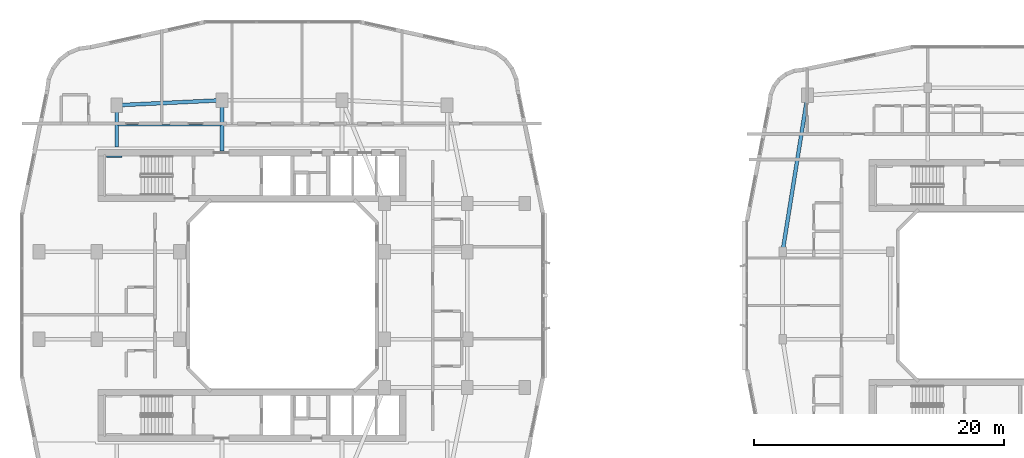
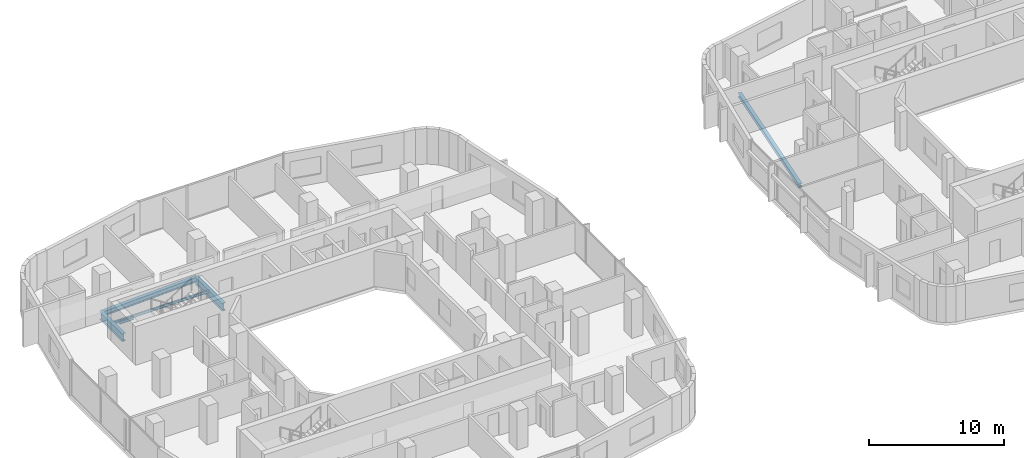
# One storey, part 6 of 27: 6 beams.
"""IFC4 building model written with IfcOpenShell, lengths in metres."""

import ifcopenshell
import ifcopenshell.guid

model = None  # the IFC model being written
_history = None  # IfcOwnerHistory: only IFC2X3 demands one
_inside = {}  # id of a spatial element -> (the spatial element, [elements in it])
_under = {}  # id of a project, library or spatial element -> (it, [spatial elements below it])
_declared = {}  # id of a project -> (the project, [libraries it declares])
_typed = {}  # id of a type object -> (the type object, [elements of that type])
_made_of = {}  # id of a material, layer set ... -> (it, [elements and type objects made of it])


def new_model(schema):
    """Start an empty IFC model of exactly this schema.

    Asked for "IFC4X3", IfcOpenShell would pick the latest addendum, in which some entities
    have other attributes; the version numbers below select the first issue.
    IFC2X3 requires an IfcOwnerHistory on every rooted entity: one is made here for all.
    """
    global model, _history
    if schema == "IFC4X3":
        model = ifcopenshell.file(schema_version=(4, 3, 0, 0))
    else:
        model = ifcopenshell.file(schema=schema)
    _inside.clear()
    _under.clear()
    _declared.clear()
    _typed.clear()
    _made_of.clear()
    _history = None
    if model.schema == "IFC2X3":
        org = make("IfcOrganization", Name="unknown")
        user = make(
            "IfcPersonAndOrganization",
            ThePerson=make("IfcPerson", FamilyName="unknown"),
            TheOrganization=org,
        )
        app = make(
            "IfcApplication",
            ApplicationDeveloper=org,
            Version="unknown",
            ApplicationFullName="unknown",
            ApplicationIdentifier="unknown",
        )
        _history = make(
            "IfcOwnerHistory",
            OwningUser=user,
            OwningApplication=app,
            ChangeAction="ADDED",
            CreationDate=0,
        )
    return model


def make(cls, **values):
    """One entity of the class cls with the attributes given. An attribute that is None is left unset."""
    return model.create_entity(
        cls, **{name: value for name, value in values.items() if value is not None}
    )


def rooted(cls, **values):
    """An entity with a GlobalId (a new one), such as an element, a storey or a relation."""
    return make(cls, GlobalId=ifcopenshell.guid.new(), OwnerHistory=_history, **values)


def si_unit(unit_type, name, prefix=None):
    """IfcSIUnit, for example si_unit("LENGTHUNIT", "METRE", prefix="MILLI")."""
    return make("IfcSIUnit", UnitType=unit_type, Prefix=prefix, Name=name)


def derived_unit(unit_type, elements):
    """IfcDerivedUnit: a product of units, each with its exponent."""
    return make(
        "IfcDerivedUnit",
        Elements=[
            make("IfcDerivedUnitElement", Unit=unit, Exponent=power)
            for unit, power in elements
        ],
        UnitType=unit_type,
    )


def assignment(units):
    """IfcUnitAssignment: the units of a project."""
    return None if units is None else make("IfcUnitAssignment", Units=units)


def point(xyz):
    """IfcCartesianPoint."""
    return None if xyz is None else make("IfcCartesianPoint", Coordinates=xyz)


def direction(xyz):
    """IfcDirection."""
    return None if xyz is None else make("IfcDirection", DirectionRatios=xyz)


def frame(location, z_axis=None, x_axis=None):
    """IfcAxis2Placement3D, a coordinate frame: its origin and axes. An axis left out is left unset."""
    return make(
        "IfcAxis2Placement3D",
        Location=point(location),
        Axis=direction(z_axis),
        RefDirection=direction(x_axis),
    )


def frame_2d(location, x_axis=None):
    """IfcAxis2Placement2D, a coordinate frame in the plane: its origin and x axis."""
    return make(
        "IfcAxis2Placement2D", Location=point(location), RefDirection=direction(x_axis)
    )


def origin():
    """The frame at (0, 0, 0) with its axes left unset."""
    return frame((0.0, 0.0, 0.0))


def origin_2d():
    """The frame at (0, 0) in the plane with its x axis left unset."""
    return frame_2d((0.0, 0.0))


def place(relative_to, where):
    """IfcLocalPlacement: puts the frame where relative to a parent placement (None: the world)."""
    return make(
        "IfcLocalPlacement", PlacementRelTo=relative_to, RelativePlacement=where
    )


def context(
    kind, dimensions, precision=None, world=None, true_north=None, identifier=None
):
    """IfcGeometricRepresentationContext, for example the 3D "Model" context."""
    return make(
        "IfcGeometricRepresentationContext",
        ContextIdentifier=identifier,
        ContextType=kind,
        CoordinateSpaceDimension=dimensions,
        Precision=precision,
        WorldCoordinateSystem=world,
        TrueNorth=true_north,
    )


def subcontext(parent, identifier, kind, view, scale=None):
    """IfcGeometricRepresentationSubContext, for example "Body" below "Model"."""
    return make(
        "IfcGeometricRepresentationSubContext",
        ContextIdentifier=identifier,
        ContextType=kind,
        ParentContext=parent,
        TargetScale=scale,
        TargetView=view,
    )


def project(units=None, contexts=None):
    """IfcProject with its units and contexts."""
    return rooted(
        "IfcProject",
        Name="project",
        RepresentationContexts=contexts,
        UnitsInContext=assignment(units),
    )


def spatial(cls, under=None, at=None, **own):
    """A site, building, storey or space (cls), placed at a placement, below another one or the project."""
    s = rooted(cls, ObjectPlacement=at, **own)
    if under is not None:
        _under.setdefault(under.id(), (under, []))[1].append(s)
    return s


def profile(cls, at=None, kind="AREA", **sizes):
    """A parametric profile (cls). Its sizes go by their IFC names, for example OverallWidth=200.0."""
    return make(cls, ProfileType=kind, Position=at, **sizes)


def i_section(**sizes):
    """IfcIShapeProfileDef."""
    return profile("IfcIShapeProfileDef", **sizes)


def extrude(swept, where, along, depth):
    """IfcExtrudedAreaSolid: the profile swept, set in the frame where, extruded along a direction by depth."""
    return make(
        "IfcExtrudedAreaSolid",
        SweptArea=swept,
        Position=where,
        ExtrudedDirection=direction(along),
        Depth=depth,
    )


def shape(context_of_items, identifier, shape_type, items):
    """IfcShapeRepresentation: the items that make up one representation, for example the "Body"."""
    return make(
        "IfcShapeRepresentation",
        ContextOfItems=context_of_items,
        RepresentationIdentifier=identifier,
        RepresentationType=shape_type,
        Items=items,
    )


def material(Name=None, Category=None):
    """IfcMaterial."""
    return make("IfcMaterial", Name=Name, Category=Category)


def material_profile(
    of_material, cross_section, Name=None, Category=None, Priority=None
):
    """IfcMaterialProfile: a cross section and its material."""
    return make(
        "IfcMaterialProfile",
        Name=Name,
        Material=of_material,
        Profile=cross_section,
        Priority=Priority,
        Category=Category,
    )


def profile_set(profiles, Name=None, composite=None):
    """IfcMaterialProfileSet."""
    return make(
        "IfcMaterialProfileSet",
        Name=Name,
        MaterialProfiles=profiles,
        CompositeProfile=composite,
    )


def made_of(thing, what):
    """Note that an element or type object is made of a material, layer set ...; save() writes the relation."""
    if what is not None:
        _made_of.setdefault(what.id(), (what, []))[1].append(thing)
    return thing


def type_object(cls, material=None, **own):
    """A type object (cls), such as IfcWallType, which elements share."""
    return made_of(rooted(cls, **own), material)


def element(
    cls,
    number,
    at=None,
    inside=None,
    cuts=None,
    type_object=None,
    material=None,
    context=None,
    identifier="Body",
    shape_type=None,
    held_by="IfcProductDefinitionShape",
    body=None,
    shapes=None,
    **own,
):
    """One element of the class cls, such as IfcWall. Its Tag is "e" and its number.

    at: its placement. inside: the storey or other place that contains it. cuts: it is an
    opening in that element (IfcRelVoidsElement). A single representation is given by context,
    identifier, shape_type and body (its items); several are given by shapes. held_by: the class
    of the entity that holds the representations. save() writes the other relations.
    """
    e = rooted(cls, Tag="e%d" % number, ObjectPlacement=at, **own)
    if body is not None:
        shapes = [shape(context, identifier, shape_type, body)]
    if shapes is not None:
        e.Representation = make(held_by, Representations=shapes)
    if inside is not None:
        _inside.setdefault(inside.id(), (inside, []))[1].append(e)
    if cuts is not None:
        rooted(
            "IfcRelVoidsElement", RelatingBuildingElement=cuts, RelatedOpeningElement=e
        )
    if type_object is not None:
        _typed.setdefault(type_object.id(), (type_object, []))[1].append(e)
    return made_of(e, material)


def aggregate(whole, parts):
    """IfcRelAggregates: a whole, such as a stair, and the parts it consists of."""
    return rooted("IfcRelAggregates", RelatingObject=whole, RelatedObjects=parts)


def save(model, path):
    """Write the relations noted so far, then the file.

    IfcRelAggregates (storeys below a building ...), IfcRelContainedInSpatialStructure (elements
    in a storey), IfcRelDefinesByType, IfcRelAssociatesMaterial and IfcRelDeclares: one each for
    every whole, place, type object, material and project.
    """
    for whole, parts in _under.values():
        aggregate(whole, parts)
    for where, things in _inside.values():
        rooted(
            "IfcRelContainedInSpatialStructure",
            RelatedElements=things,
            RelatingStructure=where,
        )
    for kind, things in _typed.values():
        rooted("IfcRelDefinesByType", RelatedObjects=things, RelatingType=kind)
    for what, things in _made_of.values():
        rooted("IfcRelAssociatesMaterial", RelatedObjects=things, RelatingMaterial=what)
    for by, libraries in _declared.values():
        rooted("IfcRelDeclares", RelatingContext=by, RelatedDefinitions=libraries)
    model.write(path)


model = new_model("IFC4")

# Units and contexts
model_context = context("Model", 3, precision=1e-05, world=origin(), true_north=direction((0.0, 1.0)))
body_context = subcontext(model_context, "Body", "Model", "MODEL_VIEW")
ifc_project = project(units=[si_unit("LENGTHUNIT", "METRE"), si_unit("AREAUNIT", "SQUARE_METRE"), si_unit("VOLUMEUNIT", "CUBIC_METRE"), si_unit("PLANEANGLEUNIT", "RADIAN"), si_unit("MASSUNIT", "GRAM", prefix="KILO"), derived_unit("THERMALTRANSMITTANCEUNIT", [(si_unit("POWERUNIT", "WATT"), 1), (si_unit("LENGTHUNIT", "METRE"), -2), (si_unit("THERMODYNAMICTEMPERATUREUNIT", "KELVIN"), -1)])], contexts=[model_context])

# Site, building, storey
site_placement = place(None, origin())
site = spatial("IfcSite", under=ifc_project, at=site_placement, CompositionType="ELEMENT")
building_placement = place(site_placement, origin())
building = spatial("IfcBuilding", under=site, at=building_placement, Name="Kivonza Crest Hotel", CompositionType="ELEMENT")
storey_placement = place(building_placement, frame((0.0, 0.0, 76.5)))
storey = spatial("IfcBuildingStorey", under=building, at=storey_placement, Name="L20", CompositionType="ELEMENT", Elevation=76.5)

# Beams
ifc_material = material(Name="Steel S355", Category="steel")
ifc_material_profile_1 = material_profile(ifc_material, i_section(OverallWidth=0.300048828125, OverallDepth=0.360107421875, WebThickness=0.012451171875, FlangeThickness=0.0224609375, FilletRadius=0.027099609375, at=origin_2d()), Name="HEB 360")
ifc_profile_set_1 = profile_set([ifc_material_profile_1], Name="Steel S355")
beam_type_1 = type_object("IfcBeamType", Name="BM-HEB360", PredefinedType="SPANDREL", material=ifc_profile_set_1)
beam_1_placement = place(storey_placement, frame((63.0, 41.0, -0.429931640625), z_axis=(-0.157990501107, -0.987440631917, 0.0), x_axis=(0.987440631917, -0.157990501107, 0.0)))
element("IfcBeam", 1, at=beam_1_placement, inside=storey, type_object=beam_type_1, Name="Companion Tower T2 L20 perimeter spandrel NW-W2", PredefinedType="SPANDREL", context=body_context, shape_type="SweptSolid", body=[
    extrude(i_section(OverallWidth=0.300048828125, OverallDepth=0.360107421875, WebThickness=0.012451171875, FlangeThickness=0.0224609375, FilletRadius=0.027099609375, at=origin_2d()), origin(), (0.0, 0.0, 1.0), 12.658935546875),
])
ifc_material_profile_2 = material_profile(ifc_material, i_section(OverallWidth=0.300048828125, OverallDepth=0.449951171875, WebThickness=0.013916015625, FlangeThickness=0.02587890625, FilletRadius=0.027099609375, at=origin_2d()), Name="HEB 450")
ifc_profile_set_2 = profile_set([ifc_material_profile_2], Name="Steel S355")
beam_type_2 = type_object("IfcBeamType", Name="BM-HEB450", PredefinedType="SPANDREL", material=ifc_profile_set_2)
beam_2_placement = place(storey_placement, frame((16.199951171875, 40.60009765625, -0.5048828125), z_axis=(-0.998867283688, -0.047583080799, 0.0), x_axis=(0.047583080799, -0.998867283688, 0.0)))
element("IfcBeam", 2, at=beam_2_placement, inside=storey, type_object=beam_type_2, Name="Tower T1 L20 perimeter spandrel N1-NW", PredefinedType="SPANDREL", context=body_context, shape_type="SweptSolid", body=[
    extrude(i_section(OverallWidth=0.300048828125, OverallDepth=0.449951171875, WebThickness=0.013916015625, FlangeThickness=0.02587890625, FilletRadius=0.027099609375, at=origin_2d()), origin(), (0.0, 0.0, 1.0), 8.409423828125),
])
ifc_material_profile_3 = material_profile(ifc_material, i_section(OverallWidth=0.300048828125, OverallDepth=0.699951171875, WebThickness=0.01708984375, FlangeThickness=0.031982421875, FilletRadius=0.027099609375, at=origin_2d()), Name="HEB 700")
ifc_profile_set_3 = profile_set([ifc_material_profile_3], Name="Steel S355")
beam_type_3 = type_object("IfcBeamType", Name="BM-HEB700", PredefinedType="BEAM", material=ifc_profile_set_3)
beam_3_placement = place(storey_placement, frame((7.800048828125, 40.199951171875, -0.6298828125), z_axis=(0.0, -1.0, 0.0), x_axis=(1.0, 0.0, 0.0)))
element("IfcBeam", 3, at=beam_3_placement, inside=storey, type_object=beam_type_3, Name="Tower T1 L20 radial core girder RNW", PredefinedType="BEAM", context=body_context, shape_type="SweptSolid", body=[
    extrude(i_section(OverallWidth=0.300048828125, OverallDepth=0.699951171875, WebThickness=0.01708984375, FlangeThickness=0.031982421875, FilletRadius=0.027099609375, at=origin_2d()), origin(), (0.0, 0.0, 1.0), 3.349853515625),
])
beam_4_placement = place(storey_placement, frame((16.199951171875, 40.60009765625, -0.6298828125), z_axis=(0.0, -1.0, 0.0), x_axis=(1.0, 0.0, 0.0)))
element("IfcBeam", 4, at=beam_4_placement, inside=storey, type_object=beam_type_3, Name="Tower T1 L20 radial core girder RN1", PredefinedType="BEAM", context=body_context, shape_type="SweptSolid", body=[
    extrude(i_section(OverallWidth=0.300048828125, OverallDepth=0.699951171875, WebThickness=0.01708984375, FlangeThickness=0.031982421875, FilletRadius=0.027099609375, at=origin_2d()), origin(), (0.0, 0.0, 1.0), 4.050048828125),
])
ifc_material_profile_4 = material_profile(ifc_material, i_section(OverallWidth=0.1201171875, OverallDepth=0.239990234375, WebThickness=0.006103515625, FlangeThickness=0.009765625, FilletRadius=0.014892578125, at=origin_2d()), Name="IPE 240")
ifc_profile_set_4 = profile_set([ifc_material_profile_4], Name="Steel S355")
beam_type_4 = type_object("IfcBeamType", Name="BM-IPE240", PredefinedType="JOIST", material=ifc_profile_set_4)
beam_5_placement = place(storey_placement, frame((7.8798828125, 38.60009765625, -0.39990234375), z_axis=(1.0, 0.0, 0.0), x_axis=(0.0, 1.0, 0.0)))
element("IfcBeam", 5, at=beam_5_placement, inside=storey, type_object=beam_type_4, Name="Tower T1 L20 North-West floor joist", PredefinedType="JOIST", context=body_context, shape_type="SweptSolid", body=[
    extrude(i_section(OverallWidth=0.1201171875, OverallDepth=0.239990234375, WebThickness=0.006103515625, FlangeThickness=0.009765625, FilletRadius=0.014892578125, at=origin_2d()), origin(), (0.0, 0.0, 1.0), 8.240234375),
])
ifc_material_profile_5 = material_profile(ifc_material, i_section(OverallWidth=0.1201171875, OverallDepth=0.239990234375, WebThickness=0.006103515625, FlangeThickness=0.009765625, FilletRadius=0.014892578125, at=origin_2d()), Name="IPE 240")
ifc_profile_set_5 = profile_set([ifc_material_profile_5], Name="Steel S355")
beam_type_5 = type_object("IfcBeamType", Name="BM-LLDG-240", PredefinedType="BEAM", material=ifc_profile_set_5)
beam_6_placement = place(storey_placement, frame((6.989990234375, 36.10009765625, 1.429931640625), z_axis=(1.0, 0.0, 0.0), x_axis=(0.0, 1.0, 0.0)))
element("IfcBeam", 6, at=beam_6_placement, inside=storey, type_object=beam_type_5, Name="Stair ST-T1-N L20 North landing corbel", PredefinedType="BEAM", context=body_context, shape_type="SweptSolid", body=[
    extrude(i_section(OverallWidth=0.1201171875, OverallDepth=0.239990234375, WebThickness=0.006103515625, FlangeThickness=0.009765625, FilletRadius=0.014892578125, at=origin_2d()), origin(), (0.0, 0.0, 1.0), 1.2099609375),
])

save(model, "model.ifc")
